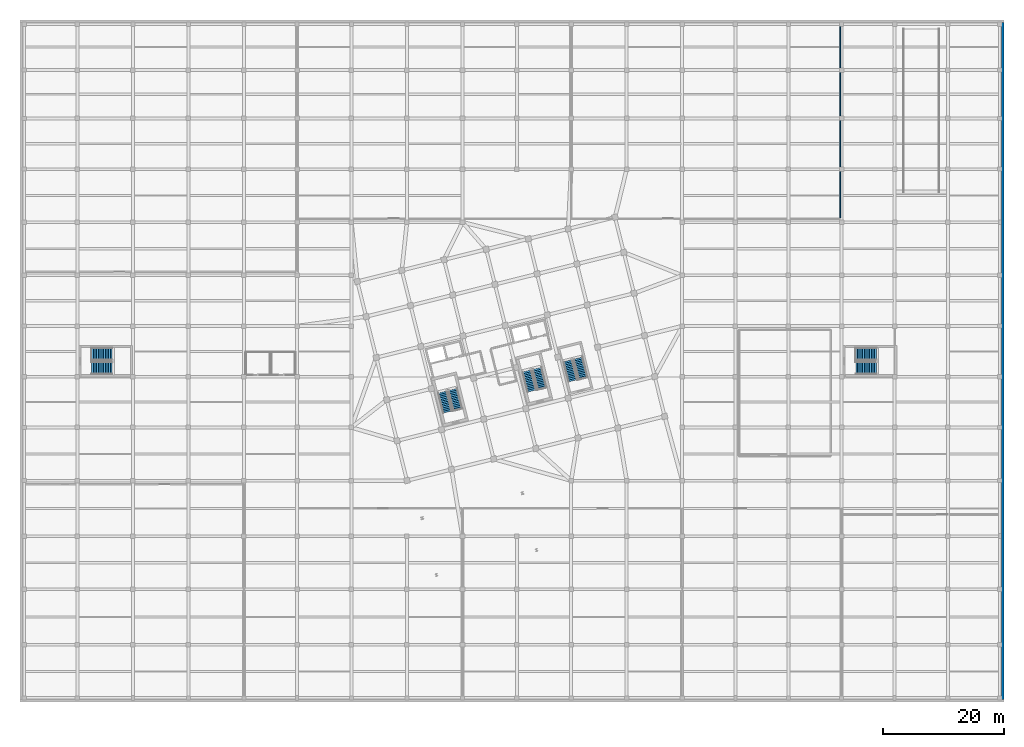
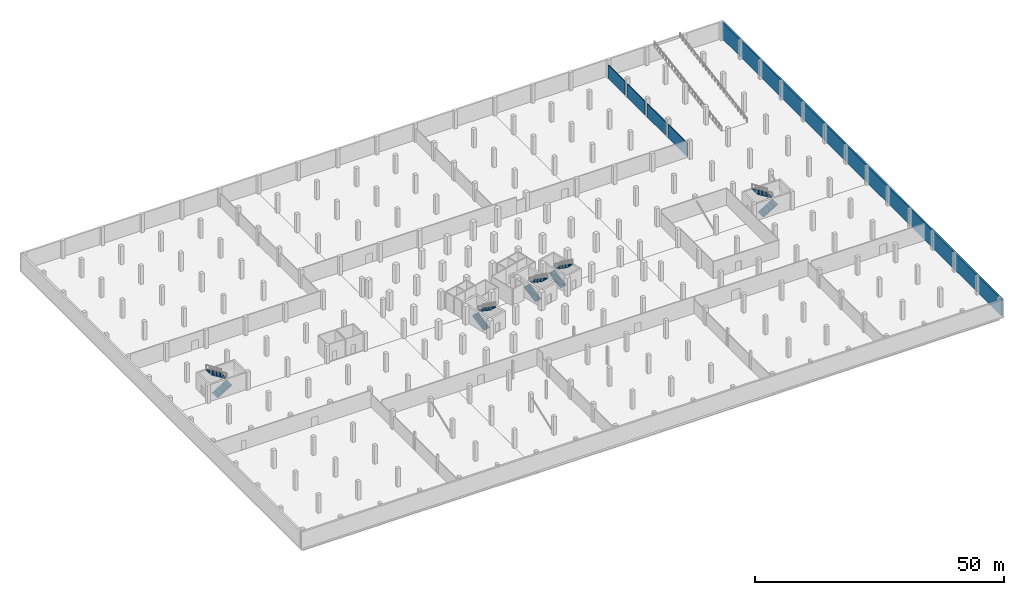
# One storey, part 27 of 31: 10 stair flights, 5 walls, 5 elements without a shape of their own.
"""IFC4 building model written with IfcOpenShell, lengths in metres."""

import ifcopenshell
import ifcopenshell.guid

model = None  # the IFC model being written
_history = None  # IfcOwnerHistory: only IFC2X3 demands one
_inside = {}  # id of a spatial element -> (the spatial element, [elements in it])
_under = {}  # id of a project, library or spatial element -> (it, [spatial elements below it])
_declared = {}  # id of a project -> (the project, [libraries it declares])
_typed = {}  # id of a type object -> (the type object, [elements of that type])
_made_of = {}  # id of a material, layer set ... -> (it, [elements and type objects made of it])


def new_model(schema):
    """Start an empty IFC model of exactly this schema.

    Asked for "IFC4X3", IfcOpenShell would pick the latest addendum, in which some entities
    have other attributes; the version numbers below select the first issue.
    IFC2X3 requires an IfcOwnerHistory on every rooted entity: one is made here for all.
    """
    global model, _history
    if schema == "IFC4X3":
        model = ifcopenshell.file(schema_version=(4, 3, 0, 0))
    else:
        model = ifcopenshell.file(schema=schema)
    _inside.clear()
    _under.clear()
    _declared.clear()
    _typed.clear()
    _made_of.clear()
    _history = None
    if model.schema == "IFC2X3":
        org = make("IfcOrganization", Name="unknown")
        user = make(
            "IfcPersonAndOrganization",
            ThePerson=make("IfcPerson", FamilyName="unknown"),
            TheOrganization=org,
        )
        app = make(
            "IfcApplication",
            ApplicationDeveloper=org,
            Version="unknown",
            ApplicationFullName="unknown",
            ApplicationIdentifier="unknown",
        )
        _history = make(
            "IfcOwnerHistory",
            OwningUser=user,
            OwningApplication=app,
            ChangeAction="ADDED",
            CreationDate=0,
        )
    return model


def make(cls, **values):
    """One entity of the class cls with the attributes given. An attribute that is None is left unset."""
    return model.create_entity(
        cls, **{name: value for name, value in values.items() if value is not None}
    )


def rooted(cls, **values):
    """An entity with a GlobalId (a new one), such as an element, a storey or a relation."""
    return make(cls, GlobalId=ifcopenshell.guid.new(), OwnerHistory=_history, **values)


def si_unit(unit_type, name, prefix=None):
    """IfcSIUnit, for example si_unit("LENGTHUNIT", "METRE", prefix="MILLI")."""
    return make("IfcSIUnit", UnitType=unit_type, Prefix=prefix, Name=name)


def assignment(units):
    """IfcUnitAssignment: the units of a project."""
    return None if units is None else make("IfcUnitAssignment", Units=units)


def point(xyz):
    """IfcCartesianPoint."""
    return None if xyz is None else make("IfcCartesianPoint", Coordinates=xyz)


def direction(xyz):
    """IfcDirection."""
    return None if xyz is None else make("IfcDirection", DirectionRatios=xyz)


def frame(location, z_axis=None, x_axis=None):
    """IfcAxis2Placement3D, a coordinate frame: its origin and axes. An axis left out is left unset."""
    return make(
        "IfcAxis2Placement3D",
        Location=point(location),
        Axis=direction(z_axis),
        RefDirection=direction(x_axis),
    )


def frame_2d(location, x_axis=None):
    """IfcAxis2Placement2D, a coordinate frame in the plane: its origin and x axis."""
    return make(
        "IfcAxis2Placement2D", Location=point(location), RefDirection=direction(x_axis)
    )


def origin():
    """The frame at (0, 0, 0) with its axes left unset."""
    return frame((0.0, 0.0, 0.0))


def place(relative_to, where):
    """IfcLocalPlacement: puts the frame where relative to a parent placement (None: the world)."""
    return make(
        "IfcLocalPlacement", PlacementRelTo=relative_to, RelativePlacement=where
    )


def context(
    kind, dimensions, precision=None, world=None, true_north=None, identifier=None
):
    """IfcGeometricRepresentationContext, for example the 3D "Model" context."""
    return make(
        "IfcGeometricRepresentationContext",
        ContextIdentifier=identifier,
        ContextType=kind,
        CoordinateSpaceDimension=dimensions,
        Precision=precision,
        WorldCoordinateSystem=world,
        TrueNorth=true_north,
    )


def subcontext(parent, identifier, kind, view, scale=None):
    """IfcGeometricRepresentationSubContext, for example "Body" below "Model"."""
    return make(
        "IfcGeometricRepresentationSubContext",
        ContextIdentifier=identifier,
        ContextType=kind,
        ParentContext=parent,
        TargetScale=scale,
        TargetView=view,
    )


def project(units=None, contexts=None):
    """IfcProject with its units and contexts."""
    return rooted(
        "IfcProject",
        Name="project",
        RepresentationContexts=contexts,
        UnitsInContext=assignment(units),
    )


def spatial(cls, under=None, at=None, **own):
    """A site, building, storey or space (cls), placed at a placement, below another one or the project."""
    s = rooted(cls, ObjectPlacement=at, **own)
    if under is not None:
        _under.setdefault(under.id(), (under, []))[1].append(s)
    return s


def polyline(points):
    """IfcPolyline through the points."""
    return make("IfcPolyline", Points=[point(p) for p in points])


def profile(cls, at=None, kind="AREA", **sizes):
    """A parametric profile (cls). Its sizes go by their IFC names, for example OverallWidth=200.0."""
    return make(cls, ProfileType=kind, Position=at, **sizes)


def rectangle(**sizes):
    """IfcRectangleProfileDef."""
    return profile("IfcRectangleProfileDef", **sizes)


def outline(outer, holes=None, kind="AREA"):
    """IfcArbitraryClosedProfileDef: a profile drawn as a closed curve; with holes, ...WithVoids."""
    if holes is None:
        return make("IfcArbitraryClosedProfileDef", ProfileType=kind, OuterCurve=outer)
    return make(
        "IfcArbitraryProfileDefWithVoids",
        ProfileType=kind,
        OuterCurve=outer,
        InnerCurves=holes,
    )


def extrude(swept, where, along, depth):
    """IfcExtrudedAreaSolid: the profile swept, set in the frame where, extruded along a direction by depth."""
    return make(
        "IfcExtrudedAreaSolid",
        SweptArea=swept,
        Position=where,
        ExtrudedDirection=direction(along),
        Depth=depth,
    )


def shape(context_of_items, identifier, shape_type, items):
    """IfcShapeRepresentation: the items that make up one representation, for example the "Body"."""
    return make(
        "IfcShapeRepresentation",
        ContextOfItems=context_of_items,
        RepresentationIdentifier=identifier,
        RepresentationType=shape_type,
        Items=items,
    )


def material(Name=None, Category=None):
    """IfcMaterial."""
    return make("IfcMaterial", Name=Name, Category=Category)


def layer(
    of_material, thickness, ventilated=None, Name=None, Category=None, Priority=None
):
    """IfcMaterialLayer: one layer of a wall or slab, of a material (None: an air gap)."""
    return make(
        "IfcMaterialLayer",
        Material=of_material,
        LayerThickness=thickness,
        IsVentilated=ventilated,
        Name=Name,
        Category=Category,
        Priority=Priority,
    )


def layer_set(layers, Name=None):
    """IfcMaterialLayerSet."""
    return make("IfcMaterialLayerSet", MaterialLayers=layers, LayerSetName=Name)


def made_of(thing, what):
    """Note that an element or type object is made of a material, layer set ...; save() writes the relation."""
    if what is not None:
        _made_of.setdefault(what.id(), (what, []))[1].append(thing)
    return thing


def type_object(cls, material=None, **own):
    """A type object (cls), such as IfcWallType, which elements share."""
    return made_of(rooted(cls, **own), material)


def element(
    cls,
    number,
    at=None,
    inside=None,
    cuts=None,
    type_object=None,
    material=None,
    context=None,
    identifier="Body",
    shape_type=None,
    held_by="IfcProductDefinitionShape",
    body=None,
    shapes=None,
    **own,
):
    """One element of the class cls, such as IfcWall. Its Tag is "e" and its number.

    at: its placement. inside: the storey or other place that contains it. cuts: it is an
    opening in that element (IfcRelVoidsElement). A single representation is given by context,
    identifier, shape_type and body (its items); several are given by shapes. held_by: the class
    of the entity that holds the representations. save() writes the other relations.
    """
    e = rooted(cls, Tag="e%d" % number, ObjectPlacement=at, **own)
    if body is not None:
        shapes = [shape(context, identifier, shape_type, body)]
    if shapes is not None:
        e.Representation = make(held_by, Representations=shapes)
    if inside is not None:
        _inside.setdefault(inside.id(), (inside, []))[1].append(e)
    if cuts is not None:
        rooted(
            "IfcRelVoidsElement", RelatingBuildingElement=cuts, RelatedOpeningElement=e
        )
    if type_object is not None:
        _typed.setdefault(type_object.id(), (type_object, []))[1].append(e)
    return made_of(e, material)


def aggregate(whole, parts):
    """IfcRelAggregates: a whole, such as a stair, and the parts it consists of."""
    return rooted("IfcRelAggregates", RelatingObject=whole, RelatedObjects=parts)


def save(model, path):
    """Write the relations noted so far, then the file.

    IfcRelAggregates (storeys below a building ...), IfcRelContainedInSpatialStructure (elements
    in a storey), IfcRelDefinesByType, IfcRelAssociatesMaterial and IfcRelDeclares: one each for
    every whole, place, type object, material and project.
    """
    for whole, parts in _under.values():
        aggregate(whole, parts)
    for where, things in _inside.values():
        rooted(
            "IfcRelContainedInSpatialStructure",
            RelatedElements=things,
            RelatingStructure=where,
        )
    for kind, things in _typed.values():
        rooted("IfcRelDefinesByType", RelatedObjects=things, RelatingType=kind)
    for what, things in _made_of.values():
        rooted("IfcRelAssociatesMaterial", RelatedObjects=things, RelatingMaterial=what)
    for by, libraries in _declared.values():
        rooted("IfcRelDeclares", RelatingContext=by, RelatedDefinitions=libraries)
    model.write(path)


model = new_model("IFC4")

# Units and contexts
model_context = context("Model", 3, precision=1e-05, world=origin(), true_north=direction((0.0, 1.0)))
body_context = subcontext(model_context, "Body", "Model", "MODEL_VIEW")
ifc_project = project(units=[si_unit("LENGTHUNIT", "METRE"), si_unit("AREAUNIT", "SQUARE_METRE"), si_unit("VOLUMEUNIT", "CUBIC_METRE"), si_unit("PLANEANGLEUNIT", "RADIAN"), si_unit("MASSUNIT", "GRAM", prefix="KILO")], contexts=[model_context])

# Site, building, storey
site_placement = place(None, origin())
site = spatial("IfcSite", under=ifc_project, at=site_placement, CompositionType="ELEMENT")
building_placement = place(site_placement, origin())
building = spatial("IfcBuilding", under=site, at=building_placement, Name="Meriwether Solvik Hall", CompositionType="ELEMENT")
storey_placement = place(building_placement, frame((0.0, 0.0, -4.5)))
storey = spatial("IfcBuildingStorey", under=building, at=storey_placement, Name="B01", CompositionType="ELEMENT", Elevation=-4.5)

# Walls
ifc_material_1 = material(Name="Concrete C40/50", Category="concrete")
ifc_layer_1 = layer(ifc_material_1, 0.39990234375)
ifc_layer_set_1 = layer_set([ifc_layer_1], Name="Concrete C40/50")
wall_type_1 = type_object("IfcWallType", Name="WALL-BSMT-400", PredefinedType="STANDARD", material=ifc_layer_set_1)
wall_1_placement = place(storey_placement, frame((167.300048828125, 4.909912109375, 0.0), z_axis=(0.0, 0.0, 1.0), x_axis=(0.0, 1.0, 0.0)))
element("IfcWall", 1, at=wall_1_placement, inside=storey, type_object=wall_type_1, Name="B01 Perimeter Retaining Wall E", PredefinedType="STANDARD", context=body_context, shape_type="SweptSolid", body=[
    extrude(rectangle(XDim=112.18017578125, YDim=0.39990234375, at=frame_2d((56.090087890625, 0.0))), origin(), (0.0, 0.0, 1.0), 4.139892578125),
])
ifc_material_2 = material(Name="Grouted Concrete Masonry Unit Block", Category="masonry")
ifc_layer_2 = layer(ifc_material_2, 0.18994140625)
ifc_layer_set_2 = layer_set([ifc_layer_2], Name="Grouted Concrete Masonry Unit Block")
wall_type_2 = type_object("IfcWallType", Name="WALL-CMU-190", PredefinedType="STANDARD", material=ifc_layer_set_2)
wall_2_placement = place(storey_placement, frame((140.39990234375, 84.719970703125, 0.0), z_axis=(0.0, 0.0, 1.0), x_axis=(0.0, 1.0, 0.0)))
element("IfcWall", 2, at=wall_2_placement, inside=storey, type_object=wall_type_2, Name="B01 Interior Partition ne_park_e", PredefinedType="STANDARD", context=body_context, shape_type="SweptSolid", body=[
    extrude(rectangle(XDim=7.6904296875, YDim=0.18994140625, at=frame_2d((3.84521484375, 0.0))), origin(), (0.0, 0.0, 1.0), 3.2900390625),
])
wall_3_placement = place(storey_placement, frame((140.39990234375, 93.189697265625, 0.0), z_axis=(0.0, 0.0, 1.0), x_axis=(0.0, 1.0, 0.0)))
element("IfcWall", 3, at=wall_3_placement, inside=storey, type_object=wall_type_2, Name="B01 Interior Partition ne_park_e_s2", PredefinedType="STANDARD", context=body_context, shape_type="SweptSolid", body=[
    extrude(rectangle(XDim=7.62060546875, YDim=0.18994140625, at=frame_2d((3.810302734375, 0.0))), origin(), (0.0, 0.0, 1.0), 3.2900390625),
])
wall_4_placement = place(storey_placement, frame((140.39990234375, 101.589599609375, 0.0), z_axis=(0.0, 0.0, 1.0), x_axis=(0.0, 1.0, 0.0)))
element("IfcWall", 4, at=wall_4_placement, inside=storey, type_object=wall_type_2, Name="B01 Interior Partition ne_park_e_s3", PredefinedType="STANDARD", context=body_context, shape_type="SweptSolid", body=[
    extrude(rectangle(XDim=7.220703125, YDim=0.18994140625, at=frame_2d((3.6103515625, 0.0))), origin(), (0.0, 0.0, 1.0), 3.2900390625),
])
wall_5_placement = place(storey_placement, frame((140.39990234375, 109.589599609375, 0.0), z_axis=(0.0, 0.0, 1.0), x_axis=(0.0, 1.0, 0.0)))
element("IfcWall", 5, at=wall_5_placement, inside=storey, type_object=wall_type_2, Name="B01 Interior Partition ne_park_e_s4", PredefinedType="STANDARD", context=body_context, shape_type="SweptSolid", body=[
    extrude(rectangle(XDim=6.82080078125, YDim=0.18994140625, at=frame_2d((3.410400390625, 0.0))), origin(), (0.0, 0.0, 1.0), 3.2900390625),
])

# Stair, stair flights
ifc_material_3 = material(Name="Concrete C40/50", Category="concrete")
stair_type_1 = type_object("IfcStairType", Name="STR-CORE-DOGLEG-B", PredefinedType="TWO_STRAIGHT_RUN_STAIR", material=ifc_material_3)
stair_1_placement = place(storey_placement, origin())
stair_1 = element("IfcStair", 6, at=stair_1_placement, inside=storey, type_object=stair_type_1, Name="Exit Stair ST-01 (B01)", PredefinedType="TWO_STRAIGHT_RUN_STAIR")
ifc_material_4 = material(Name="Concrete C40/50", Category="concrete")
stair_flight_type_1 = type_object("IfcStairFlightType", Name="SFL-RC-156", PredefinedType="STRAIGHT", material=ifc_material_4)
stair_flight_1_placement = place(storey_placement, frame((75.310791015625, 52.56103515625, 0.0), z_axis=(0.0, 0.0, 1.0), x_axis=(-0.2419218956, 0.970295726276, 0.0)))
stair_flight_1 = element("IfcStairFlight", 7, at=stair_flight_1_placement, type_object=stair_flight_type_1, Name="Stair ST-01 Lower Flight (B01)", NumberOfRisers=13, NumberOfTreads=12, PredefinedType="STRAIGHT", RiserHeight=0.173077, TreadLength=0.285, context=body_context, shape_type="SweptSolid", body=[
    extrude(outline(polyline([(0.0, 0.0), (0.0, 0.173095703125), (0.284912109375, 0.173095703125), (0.284912109375, 0.34619140625), (0.570068359375, 0.34619140625), (0.570068359375, 0.519287109375), (0.85498046875, 0.519287109375), (0.85498046875, 0.6923828125), (1.139892578125, 0.6923828125), (1.139892578125, 0.865478515625), (1.425048828125, 0.865478515625), (1.425048828125, 1.03857421875), (1.7099609375, 1.03857421875), (1.7099609375, 1.21142578125), (1.9951171875, 1.21142578125), (1.9951171875, 1.384521484375), (2.280029296875, 1.384521484375), (2.280029296875, 1.5576171875), (2.56494140625, 1.5576171875), (2.56494140625, 1.730712890625), (2.85009765625, 1.730712890625), (2.85009765625, 1.90380859375), (3.135009765625, 1.90380859375), (3.135009765625, 2.076904296875), (3.419921875, 2.076904296875), (3.419921875, 2.25), (3.419921875, 1.866455078125), (0.3466796875, 0.0), (0.0, 0.0)])), frame((0.0, 0.780029296875, 0.0), z_axis=(0.0, -1.0, 0.0), x_axis=(1.0, 0.0, 0.0)), (0.0, 0.0, 1.0), 1.56005859375),
])
stair_flight_2_placement = place(storey_placement, frame((76.210693359375, 56.31005859375, 2.25), z_axis=(0.0, 0.0, 1.0), x_axis=(0.2419218956, -0.970295726276, 0.0)))
stair_flight_2 = element("IfcStairFlight", 8, at=stair_flight_2_placement, type_object=stair_flight_type_1, Name="Stair ST-01 Upper Flight (B01)", NumberOfRisers=13, NumberOfTreads=12, PredefinedType="STRAIGHT", RiserHeight=0.173077, TreadLength=0.285, context=body_context, shape_type="SweptSolid", body=[
    extrude(outline(polyline([(0.0, 0.0), (0.0, 0.173095703125), (0.284912109375, 0.173095703125), (0.284912109375, 0.34619140625), (0.570068359375, 0.34619140625), (0.570068359375, 0.519287109375), (0.85498046875, 0.519287109375), (0.85498046875, 0.6923828125), (1.139892578125, 0.6923828125), (1.139892578125, 0.865478515625), (1.425048828125, 0.865478515625), (1.425048828125, 1.03857421875), (1.7099609375, 1.03857421875), (1.7099609375, 1.21142578125), (1.9951171875, 1.21142578125), (1.9951171875, 1.384521484375), (2.280029296875, 1.384521484375), (2.280029296875, 1.5576171875), (2.56494140625, 1.5576171875), (2.56494140625, 1.730712890625), (2.85009765625, 1.730712890625), (2.85009765625, 1.90380859375), (3.135009765625, 1.90380859375), (3.135009765625, 2.076904296875), (3.419921875, 2.076904296875), (3.419921875, 2.25), (3.419921875, 1.866455078125), (0.3466796875, 0.0), (0.0, 0.0)])), frame((0.0, 0.780029296875, 0.0), z_axis=(0.0, -1.0, 0.0), x_axis=(1.0, 0.0, 0.0)), (0.0, 0.0, 1.0), 1.56005859375),
])
aggregate(stair_1, [stair_flight_1, stair_flight_2])

stair_2_placement = place(storey_placement, origin())
stair_2 = element("IfcStair", 9, at=stair_2_placement, inside=storey, type_object=stair_type_1, Name="Exit Stair ST-02 (B01)", PredefinedType="TWO_STRAIGHT_RUN_STAIR")
stair_flight_3_placement = place(storey_placement, frame((89.283203125, 56.044677734375, 0.0), z_axis=(0.0, 0.0, 1.0), x_axis=(-0.2419218956, 0.970295726276, 0.0)))
stair_flight_3 = element("IfcStairFlight", 10, at=stair_flight_3_placement, type_object=stair_flight_type_1, Name="Stair ST-02 Lower Flight (B01)", NumberOfRisers=13, NumberOfTreads=12, PredefinedType="STRAIGHT", RiserHeight=0.173077, TreadLength=0.285, context=body_context, shape_type="SweptSolid", body=[
    extrude(outline(polyline([(0.0, 0.0), (0.0, 0.173095703125), (0.284912109375, 0.173095703125), (0.284912109375, 0.34619140625), (0.570068359375, 0.34619140625), (0.570068359375, 0.519287109375), (0.85498046875, 0.519287109375), (0.85498046875, 0.6923828125), (1.139892578125, 0.6923828125), (1.139892578125, 0.865478515625), (1.425048828125, 0.865478515625), (1.425048828125, 1.03857421875), (1.7099609375, 1.03857421875), (1.7099609375, 1.21142578125), (1.9951171875, 1.21142578125), (1.9951171875, 1.384521484375), (2.280029296875, 1.384521484375), (2.280029296875, 1.5576171875), (2.56494140625, 1.5576171875), (2.56494140625, 1.730712890625), (2.85009765625, 1.730712890625), (2.85009765625, 1.90380859375), (3.135009765625, 1.90380859375), (3.135009765625, 2.076904296875), (3.419921875, 2.076904296875), (3.419921875, 2.25), (3.419921875, 1.866455078125), (0.3466796875, 0.0), (0.0, 0.0)])), frame((0.0, 0.780029296875, 0.0), z_axis=(0.0, -1.0, 0.0), x_axis=(1.0, 0.0, 0.0)), (0.0, 0.0, 1.0), 1.56005859375),
])
stair_flight_4_placement = place(storey_placement, frame((90.182861328125, 59.793701171875, 2.25), z_axis=(0.0, 0.0, 1.0), x_axis=(0.2419218956, -0.970295726276, 0.0)))
stair_flight_4 = element("IfcStairFlight", 11, at=stair_flight_4_placement, type_object=stair_flight_type_1, Name="Stair ST-02 Upper Flight (B01)", NumberOfRisers=13, NumberOfTreads=12, PredefinedType="STRAIGHT", RiserHeight=0.173077, TreadLength=0.285, context=body_context, shape_type="SweptSolid", body=[
    extrude(outline(polyline([(0.0, 0.0), (0.0, 0.173095703125), (0.284912109375, 0.173095703125), (0.284912109375, 0.34619140625), (0.570068359375, 0.34619140625), (0.570068359375, 0.519287109375), (0.85498046875, 0.519287109375), (0.85498046875, 0.6923828125), (1.139892578125, 0.6923828125), (1.139892578125, 0.865478515625), (1.425048828125, 0.865478515625), (1.425048828125, 1.03857421875), (1.7099609375, 1.03857421875), (1.7099609375, 1.21142578125), (1.9951171875, 1.21142578125), (1.9951171875, 1.384521484375), (2.280029296875, 1.384521484375), (2.280029296875, 1.5576171875), (2.56494140625, 1.5576171875), (2.56494140625, 1.730712890625), (2.85009765625, 1.730712890625), (2.85009765625, 1.90380859375), (3.135009765625, 1.90380859375), (3.135009765625, 2.076904296875), (3.419921875, 2.076904296875), (3.419921875, 2.25), (3.419921875, 1.866455078125), (0.3466796875, 0.0), (0.0, 0.0)])), frame((0.0, 0.780029296875, 0.0), z_axis=(0.0, -1.0, 0.0), x_axis=(1.0, 0.0, 0.0)), (0.0, 0.0, 1.0), 1.56005859375),
])
aggregate(stair_2, [stair_flight_3, stair_flight_4])

stair_3_placement = place(storey_placement, origin())
stair_3 = element("IfcStair", 12, at=stair_3_placement, inside=storey, type_object=stair_type_1, Name="Exit Stair ST-03 (B01)", PredefinedType="TWO_STRAIGHT_RUN_STAIR")
stair_flight_5_placement = place(storey_placement, frame((96.0751953125, 57.738037109375, 0.0), z_axis=(0.0, 0.0, 1.0), x_axis=(-0.2419218956, 0.970295726276, 0.0)))
stair_flight_5 = element("IfcStairFlight", 13, at=stair_flight_5_placement, type_object=stair_flight_type_1, Name="Stair ST-03 Lower Flight (B01)", NumberOfRisers=13, NumberOfTreads=12, PredefinedType="STRAIGHT", RiserHeight=0.173077, TreadLength=0.285, context=body_context, shape_type="SweptSolid", body=[
    extrude(outline(polyline([(0.0, 0.0), (0.0, 0.173095703125), (0.284912109375, 0.173095703125), (0.284912109375, 0.34619140625), (0.570068359375, 0.34619140625), (0.570068359375, 0.519287109375), (0.85498046875, 0.519287109375), (0.85498046875, 0.6923828125), (1.139892578125, 0.6923828125), (1.139892578125, 0.865478515625), (1.425048828125, 0.865478515625), (1.425048828125, 1.03857421875), (1.7099609375, 1.03857421875), (1.7099609375, 1.21142578125), (1.9951171875, 1.21142578125), (1.9951171875, 1.384521484375), (2.280029296875, 1.384521484375), (2.280029296875, 1.5576171875), (2.56494140625, 1.5576171875), (2.56494140625, 1.730712890625), (2.85009765625, 1.730712890625), (2.85009765625, 1.90380859375), (3.135009765625, 1.90380859375), (3.135009765625, 2.076904296875), (3.419921875, 2.076904296875), (3.419921875, 2.25), (3.419921875, 1.866455078125), (0.3466796875, 0.0), (0.0, 0.0)])), frame((0.0, 0.780029296875, 0.0), z_axis=(0.0, -1.0, 0.0), x_axis=(1.0, 0.0, 0.0)), (0.0, 0.0, 1.0), 1.56005859375),
])
stair_flight_6_placement = place(storey_placement, frame((96.974853515625, 61.487060546875, 2.25), z_axis=(0.0, 0.0, 1.0), x_axis=(0.2419218956, -0.970295726276, 0.0)))
stair_flight_6 = element("IfcStairFlight", 14, at=stair_flight_6_placement, type_object=stair_flight_type_1, Name="Stair ST-03 Upper Flight (B01)", NumberOfRisers=13, NumberOfTreads=12, PredefinedType="STRAIGHT", RiserHeight=0.173077, TreadLength=0.285, context=body_context, shape_type="SweptSolid", body=[
    extrude(outline(polyline([(0.0, 0.0), (0.0, 0.173095703125), (0.284912109375, 0.173095703125), (0.284912109375, 0.34619140625), (0.570068359375, 0.34619140625), (0.570068359375, 0.519287109375), (0.85498046875, 0.519287109375), (0.85498046875, 0.6923828125), (1.139892578125, 0.6923828125), (1.139892578125, 0.865478515625), (1.425048828125, 0.865478515625), (1.425048828125, 1.03857421875), (1.7099609375, 1.03857421875), (1.7099609375, 1.21142578125), (1.9951171875, 1.21142578125), (1.9951171875, 1.384521484375), (2.280029296875, 1.384521484375), (2.280029296875, 1.5576171875), (2.56494140625, 1.5576171875), (2.56494140625, 1.730712890625), (2.85009765625, 1.730712890625), (2.85009765625, 1.90380859375), (3.135009765625, 1.90380859375), (3.135009765625, 2.076904296875), (3.419921875, 2.076904296875), (3.419921875, 2.25), (3.419921875, 1.866455078125), (0.3466796875, 0.0), (0.0, 0.0)])), frame((0.0, 0.780029296875, 0.0), z_axis=(0.0, -1.0, 0.0), x_axis=(1.0, 0.0, 0.0)), (0.0, 0.0, 1.0), 1.56005859375),
])
aggregate(stair_3, [stair_flight_5, stair_flight_6])

ifc_material_5 = material(Name="Concrete C40/50", Category="concrete")
stair_type_2 = type_object("IfcStairType", Name="STR-CORE-WIDE", PredefinedType="TWO_STRAIGHT_RUN_STAIR", material=ifc_material_5)
stair_4_placement = place(storey_placement, origin())
stair_4 = element("IfcStair", 15, at=stair_4_placement, inside=storey, type_object=stair_type_2, Name="Exit Stair ST-04 (B01)", PredefinedType="TWO_STRAIGHT_RUN_STAIR")
ifc_material_6 = material(Name="Concrete C40/50", Category="concrete")
stair_flight_type_2 = type_object("IfcStairFlightType", Name="SFL-RC-205", PredefinedType="STRAIGHT", material=ifc_material_6)
stair_flight_7_placement = place(storey_placement, frame((16.35009765625, 59.804931640625, 0.0), z_axis=(0.0, 0.0, 1.0), x_axis=(1.0, 0.0, 0.0)))
stair_flight_7 = element("IfcStairFlight", 16, at=stair_flight_7_placement, type_object=stair_flight_type_2, Name="Stair ST-04 Lower Flight (B01)", NumberOfRisers=13, NumberOfTreads=12, PredefinedType="STRAIGHT", RiserHeight=0.173077, TreadLength=0.285, context=body_context, shape_type="SweptSolid", body=[
    extrude(outline(polyline([(0.0, 0.0), (0.0, 0.173095703125), (0.284912109375, 0.173095703125), (0.284912109375, 0.34619140625), (0.570068359375, 0.34619140625), (0.570068359375, 0.519287109375), (0.85498046875, 0.519287109375), (0.85498046875, 0.6923828125), (1.139892578125, 0.6923828125), (1.139892578125, 0.865478515625), (1.425048828125, 0.865478515625), (1.425048828125, 1.03857421875), (1.7099609375, 1.03857421875), (1.7099609375, 1.21142578125), (1.9951171875, 1.21142578125), (1.9951171875, 1.384521484375), (2.280029296875, 1.384521484375), (2.280029296875, 1.5576171875), (2.56494140625, 1.5576171875), (2.56494140625, 1.730712890625), (2.85009765625, 1.730712890625), (2.85009765625, 1.90380859375), (3.135009765625, 1.90380859375), (3.135009765625, 2.076904296875), (3.419921875, 2.076904296875), (3.419921875, 2.25), (3.419921875, 1.866455078125), (0.3466796875, 0.0), (0.0, 0.0)])), frame((0.0, 1.02490234375, 0.0), z_axis=(0.0, -1.0, 0.0), x_axis=(1.0, 0.0, 0.0)), (0.0, 0.0, 1.0), 2.050048828125),
])
stair_flight_8_placement = place(storey_placement, frame((19.77001953125, 62.195068359375, 2.25), z_axis=(0.0, 0.0, 1.0), x_axis=(-1.0, 0.0, 0.0)))
stair_flight_8 = element("IfcStairFlight", 17, at=stair_flight_8_placement, type_object=stair_flight_type_2, Name="Stair ST-04 Upper Flight (B01)", NumberOfRisers=13, NumberOfTreads=12, PredefinedType="STRAIGHT", RiserHeight=0.173077, TreadLength=0.285, context=body_context, shape_type="SweptSolid", body=[
    extrude(outline(polyline([(0.0, 0.0), (0.0, 0.173095703125), (0.284912109375, 0.173095703125), (0.284912109375, 0.34619140625), (0.570068359375, 0.34619140625), (0.570068359375, 0.519287109375), (0.85498046875, 0.519287109375), (0.85498046875, 0.6923828125), (1.139892578125, 0.6923828125), (1.139892578125, 0.865478515625), (1.425048828125, 0.865478515625), (1.425048828125, 1.03857421875), (1.7099609375, 1.03857421875), (1.7099609375, 1.21142578125), (1.9951171875, 1.21142578125), (1.9951171875, 1.384521484375), (2.280029296875, 1.384521484375), (2.280029296875, 1.5576171875), (2.56494140625, 1.5576171875), (2.56494140625, 1.730712890625), (2.85009765625, 1.730712890625), (2.85009765625, 1.90380859375), (3.135009765625, 1.90380859375), (3.135009765625, 2.076904296875), (3.419921875, 2.076904296875), (3.419921875, 2.25), (3.419921875, 1.866455078125), (0.3466796875, 0.0), (0.0, 0.0)])), frame((0.0, 1.02490234375, 0.0), z_axis=(0.0, -1.0, 0.0), x_axis=(1.0, 0.0, 0.0)), (0.0, 0.0, 1.0), 2.050048828125),
])
aggregate(stair_4, [stair_flight_7, stair_flight_8])

stair_5_placement = place(storey_placement, origin())
stair_5 = element("IfcStair", 18, at=stair_5_placement, inside=storey, type_object=stair_type_2, Name="Exit Stair ST-05 (B01)", PredefinedType="TWO_STRAIGHT_RUN_STAIR")
stair_flight_9_placement = place(storey_placement, frame((142.949951171875, 59.804931640625, 0.0), z_axis=(0.0, 0.0, 1.0), x_axis=(1.0, 0.0, 0.0)))
stair_flight_9 = element("IfcStairFlight", 19, at=stair_flight_9_placement, type_object=stair_flight_type_2, Name="Stair ST-05 Lower Flight (B01)", NumberOfRisers=13, NumberOfTreads=12, PredefinedType="STRAIGHT", RiserHeight=0.173077, TreadLength=0.285, context=body_context, shape_type="SweptSolid", body=[
    extrude(outline(polyline([(0.0, 0.0), (0.0, 0.173095703125), (0.284912109375, 0.173095703125), (0.284912109375, 0.34619140625), (0.570068359375, 0.34619140625), (0.570068359375, 0.519287109375), (0.85498046875, 0.519287109375), (0.85498046875, 0.6923828125), (1.139892578125, 0.6923828125), (1.139892578125, 0.865478515625), (1.425048828125, 0.865478515625), (1.425048828125, 1.03857421875), (1.7099609375, 1.03857421875), (1.7099609375, 1.21142578125), (1.9951171875, 1.21142578125), (1.9951171875, 1.384521484375), (2.280029296875, 1.384521484375), (2.280029296875, 1.5576171875), (2.56494140625, 1.5576171875), (2.56494140625, 1.730712890625), (2.85009765625, 1.730712890625), (2.85009765625, 1.90380859375), (3.135009765625, 1.90380859375), (3.135009765625, 2.076904296875), (3.419921875, 2.076904296875), (3.419921875, 2.25), (3.419921875, 1.866455078125), (0.3466796875, 0.0), (0.0, 0.0)])), frame((0.0, 1.02490234375, 0.0), z_axis=(0.0, -1.0, 0.0), x_axis=(1.0, 0.0, 0.0)), (0.0, 0.0, 1.0), 2.050048828125),
])
stair_flight_10_placement = place(storey_placement, frame((146.3701171875, 62.195068359375, 2.25), z_axis=(0.0, 0.0, 1.0), x_axis=(-1.0, 0.0, 0.0)))
stair_flight_10 = element("IfcStairFlight", 20, at=stair_flight_10_placement, type_object=stair_flight_type_2, Name="Stair ST-05 Upper Flight (B01)", NumberOfRisers=13, NumberOfTreads=12, PredefinedType="STRAIGHT", RiserHeight=0.173077, TreadLength=0.285, context=body_context, shape_type="SweptSolid", body=[
    extrude(outline(polyline([(0.0, 0.0), (0.0, 0.173095703125), (0.284912109375, 0.173095703125), (0.284912109375, 0.34619140625), (0.570068359375, 0.34619140625), (0.570068359375, 0.519287109375), (0.85498046875, 0.519287109375), (0.85498046875, 0.6923828125), (1.139892578125, 0.6923828125), (1.139892578125, 0.865478515625), (1.425048828125, 0.865478515625), (1.425048828125, 1.03857421875), (1.7099609375, 1.03857421875), (1.7099609375, 1.21142578125), (1.9951171875, 1.21142578125), (1.9951171875, 1.384521484375), (2.280029296875, 1.384521484375), (2.280029296875, 1.5576171875), (2.56494140625, 1.5576171875), (2.56494140625, 1.730712890625), (2.85009765625, 1.730712890625), (2.85009765625, 1.90380859375), (3.135009765625, 1.90380859375), (3.135009765625, 2.076904296875), (3.419921875, 2.076904296875), (3.419921875, 2.25), (3.419921875, 1.866455078125), (0.3466796875, 0.0), (0.0, 0.0)])), frame((0.0, 1.02490234375, 0.0), z_axis=(0.0, -1.0, 0.0), x_axis=(1.0, 0.0, 0.0)), (0.0, 0.0, 1.0), 2.050048828125),
])
aggregate(stair_5, [stair_flight_9, stair_flight_10])

save(model, "model.ifc")
